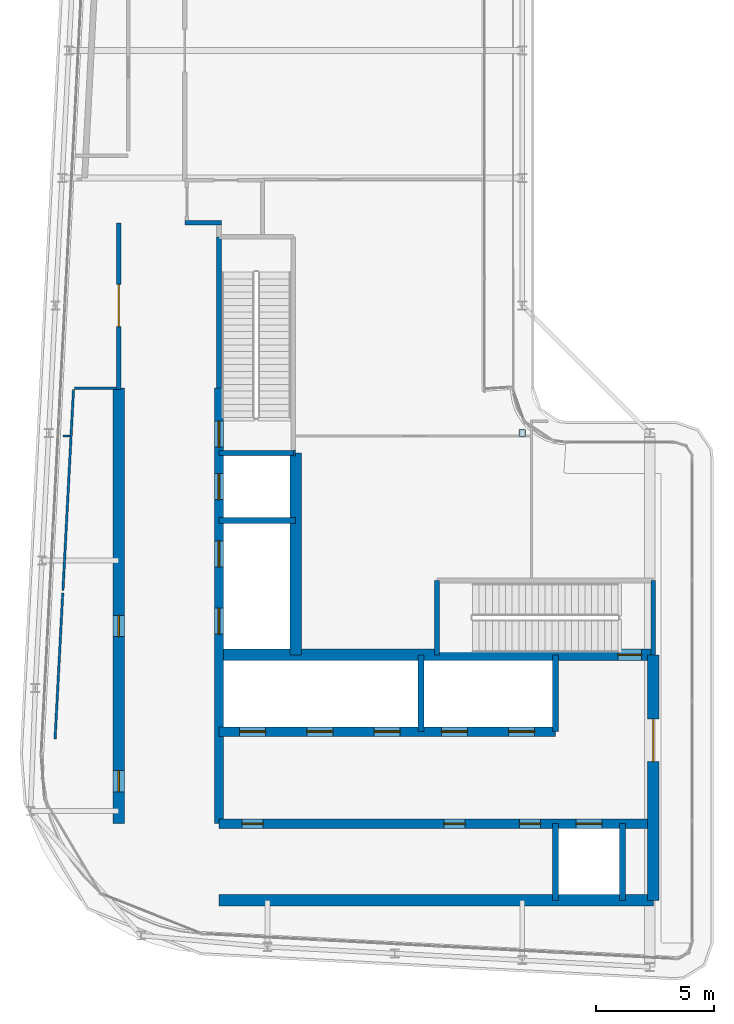
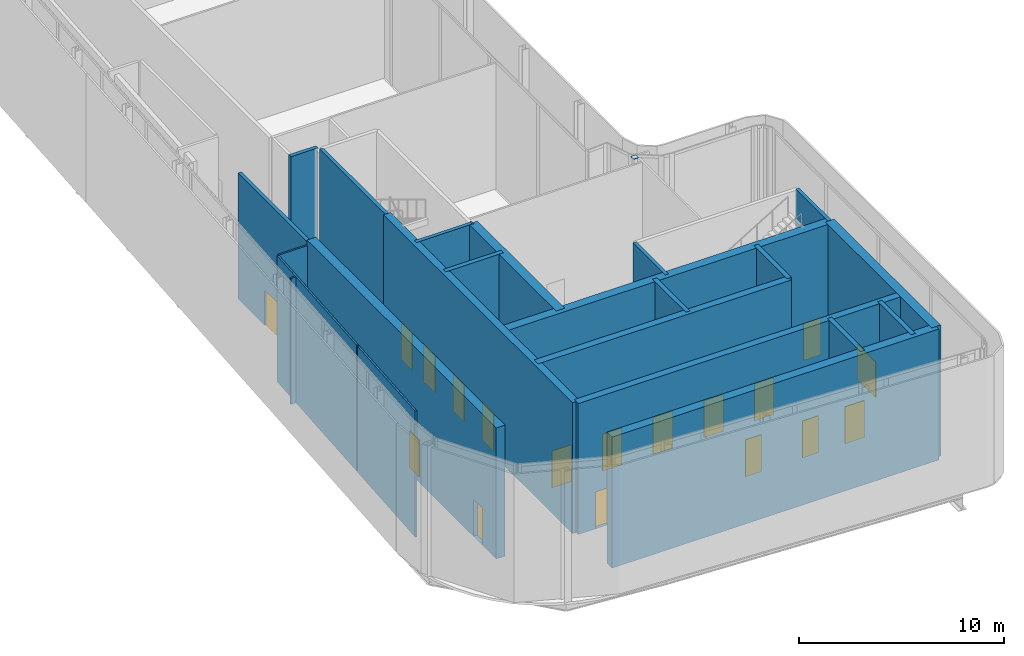
# One storey, part 16 of 23: 24 walls, 18 doors, 1 plate, 18 openings.
"""IFC4 building model written with IfcOpenShell, lengths in metres."""

from ifc_helpers import new_model, si_unit, direction, frame, frame_2d, origin, origin_2d, place, context, subcontext, project, spatial, rectangle, extrude, source, transform, mapped, material, layer, layer_set, type_object, element, fill, save


model = new_model("IFC4")

# Units and contexts
model_context = context("Model", 3, precision=1e-05, world=origin(), true_north=direction((0.0, 1.0)))
body_context = subcontext(model_context, "Body", "Model", "MODEL_VIEW")
ifc_project = project(units=[si_unit("LENGTHUNIT", "METRE"), si_unit("AREAUNIT", "SQUARE_METRE"), si_unit("VOLUMEUNIT", "CUBIC_METRE"), si_unit("PLANEANGLEUNIT", "RADIAN"), si_unit("MASSUNIT", "GRAM", prefix="KILO")], contexts=[model_context])

# Site, building, storey
site_placement = place(None, origin())
site = spatial("IfcSite", under=ifc_project, at=site_placement, CompositionType="ELEMENT")
building_placement = place(site_placement, origin())
building = spatial("IfcBuilding", under=site, at=building_placement, Name="Kheshtan School and Residences Tower", CompositionType="ELEMENT")
storey_placement = place(building_placement, frame((0.0, 0.0, 389.0)))
storey = spatial("IfcBuildingStorey", under=building, at=storey_placement, Name="L92", CompositionType="ELEMENT", Elevation=389.0)

# Plate
ifc_material_1 = material(Name="Steel ASTM A992 Grade 50", Category="steel")
ifc_layer_1 = layer(ifc_material_1, 0.02490234375)
ifc_layer_set_1 = layer_set([ifc_layer_1], Name="End plate 25 HSS 203x203x12.7 ASTM A992 Grade 50")
plate_type = type_object("IfcPlateType", Name="End plate 25 HSS 203x203x12.7 ASTM A992 Grade 50", PredefinedType="SHEET", material=ifc_layer_set_1)
plate_placement = place(storey_placement, frame((47.60009765625, 45.60009765625, 7.800048828125), z_axis=(0.0, 0.0, 1.0), x_axis=(1.0, 0.0, 0.0)))
element("IfcPlate", 1, at=plate_placement, inside=storey, type_object=plate_type, Name="End plate", PredefinedType="SHEET", context=body_context, shape_type="SweptSolid", body=[
    extrude(rectangle(XDim=0.282958984375, YDim=0.282958984375, at=origin_2d()), origin(), (0.0, 0.0, 1.0), 0.02490234375),
])

# Wall, openings, doors
ifc_material_2 = material(Name="Concrete C50/60", Category="concrete")
ifc_layer_2 = layer(ifc_material_2, 0.39990234375)
ifc_layer_set_2 = layer_set([ifc_layer_2], Name="Core wall 400 Concrete C50/60")
wall_type_1 = type_object("IfcWallType", Name="Core wall 400 Concrete C50/60", PredefinedType="SHEAR", material=ifc_layer_set_2)
wall_1_placement = place(storey_placement, frame((34.75, 29.050048828125, 0.0), z_axis=(0.0, 0.0, 1.0), x_axis=(1.0, 0.0, 0.0)))
wall_1 = element("IfcWall", 2, at=wall_1_placement, inside=storey, type_object=wall_type_1, Name="Core wall CW-HALL-S1", PredefinedType="SHEAR", context=body_context, shape_type="SweptSolid", body=[
    extrude(rectangle(XDim=18.39990234375, YDim=0.39990234375, at=frame_2d((9.199951171875, 0.0))), origin(), (0.0, 0.0, 1.0), 7.800048828125),
])
opening_1_placement = place(wall_1_placement, frame((15.125, 0.0, 0.0)))
opening_1 = element("IfcOpeningElement", 3, at=opening_1_placement, cuts=wall_1, Name="Opening LD", PredefinedType="OPENING", context=body_context, shape_type="SweptSolid", body=[
    extrude(rectangle(XDim=1.10009765625, YDim=2.199951171875, at=frame_2d((0.550048828125, 1.10009765625))), frame((0.0, 0.2099609375, 0.0), z_axis=(0.0, -1.0, 0.0), x_axis=(1.0, 0.0, 0.0)), (0.0, 0.0, 1.0), 0.419921875),
])
opening_2_placement = place(wall_1_placement, frame((0.97509765625, 0.0, 0.0)))
opening_2 = element("IfcOpeningElement", 4, at=opening_2_placement, cuts=wall_1, Name="Opening SR90", PredefinedType="OPENING", context=body_context, shape_type="SweptSolid", body=[
    extrude(rectangle(XDim=0.89990234375, YDim=2.199951171875, at=frame_2d((0.449951171875, 1.10009765625))), frame((0.0, 0.2099609375, 0.0), z_axis=(0.0, -1.0, 0.0), x_axis=(1.0, 0.0, 0.0)), (0.0, 0.0, 1.0), 0.419921875),
])
opening_3_placement = place(wall_1_placement, frame((9.52490234375, 0.0, 0.0)))
opening_3 = element("IfcOpeningElement", 5, at=opening_3_placement, cuts=wall_1, Name="Opening SR90", PredefinedType="OPENING", context=body_context, shape_type="SweptSolid", body=[
    extrude(rectangle(XDim=0.89990234375, YDim=2.199951171875, at=frame_2d((0.449951171875, 1.10009765625))), frame((0.0, 0.2099609375, 0.0), z_axis=(0.0, -1.0, 0.0), x_axis=(1.0, 0.0, 0.0)), (0.0, 0.0, 1.0), 0.419921875),
])
opening_4_placement = place(wall_1_placement, frame((12.72607421875, 0.0, 0.0)))
opening_4 = element("IfcOpeningElement", 6, at=opening_4_placement, cuts=wall_1, Name="Opening SR90", PredefinedType="OPENING", context=body_context, shape_type="SweptSolid", body=[
    extrude(rectangle(XDim=0.89990234375, YDim=2.199951171875, at=frame_2d((0.449951171875, 1.10009765625))), frame((0.0, 0.2099609375, 0.0), z_axis=(0.0, -1.0, 0.0), x_axis=(1.0, 0.0, 0.0)), (0.0, 0.0, 1.0), 0.419921875),
])
ifc_material_3 = material(Name="Stainless steel door leaves", Category="steel")
door_type_1 = type_object("IfcDoorType", Name="Lift landing door 1100", OperationType="SLIDING_TO_LEFT", PredefinedType="DOOR", material=ifc_material_3)
shared_shape_1 = source(origin(), body_context, "Body", "SweptSolid", [
    extrude(rectangle(XDim=1.10009765625, YDim=2.199951171875, at=frame_2d((0.550048828125, 1.10009765625))), frame((0.0, 0.02490234375, 0.0), z_axis=(0.0, -1.0, 0.0), x_axis=(1.0, 0.0, 0.0)), (0.0, 0.0, 1.0), 0.050048828125),
])
door_1_placement = place(opening_1_placement, origin())
door_1 = element("IfcDoor", 7, at=door_1_placement, inside=storey, type_object=door_type_1, Name="Lift FFL2 landing door", OperationType="SLIDING_TO_LEFT", OverallHeight=2.199951171875, OverallWidth=1.10009765625, PredefinedType="DOOR", context=body_context, shape_type="MappedRepresentation", body=[
    mapped(shared_shape_1, transform((0.0, 0.0, 0.0), x_axis=(1.0, 0.0, 0.0), y_axis=(0.0, 1.0, 0.0), z_axis=(0.0, 0.0, 1.0), scale=1.0)),
])
fill(opening_1, door_1)
ifc_material_4 = material(Name="Steel door leaf, galvanised", Category="steel")
door_type_2 = type_object("IfcDoorType", Name="Service room door 900 steel 90 min", OperationType="SINGLE_SWING_LEFT", PredefinedType="DOOR", material=ifc_material_4)
shared_shape_2 = source(origin(), body_context, "Body", "SweptSolid", [
    extrude(rectangle(XDim=0.89990234375, YDim=2.199951171875, at=frame_2d((0.449951171875, 1.10009765625))), frame((0.0, 0.02490234375, 0.0), z_axis=(0.0, -1.0, 0.0), x_axis=(1.0, 0.0, 0.0)), (0.0, 0.0, 1.0), 0.050048828125),
])
door_2_placement = place(opening_2_placement, origin())
door_2 = element("IfcDoor", 8, at=door_2_placement, inside=storey, type_object=door_type_2, Name="Service room door", OperationType="SINGLE_SWING_LEFT", OverallHeight=2.199951171875, OverallWidth=0.89990234375, PredefinedType="DOOR", context=body_context, shape_type="MappedRepresentation", body=[
    mapped(shared_shape_2, transform((0.0, 0.0, 0.0), x_axis=(1.0, 0.0, 0.0), y_axis=(0.0, 1.0, 0.0), z_axis=(0.0, 0.0, 1.0), scale=1.0)),
])
fill(opening_2, door_2)
door_3_placement = place(opening_3_placement, origin())
door_3 = element("IfcDoor", 9, at=door_3_placement, inside=storey, type_object=door_type_2, Name="Service room door", OperationType="SINGLE_SWING_RIGHT", OverallHeight=2.199951171875, OverallWidth=0.89990234375, PredefinedType="DOOR", context=body_context, shape_type="MappedRepresentation", body=[
    mapped(shared_shape_2, transform((0.0, 0.0, 0.0), x_axis=(1.0, 0.0, 0.0), y_axis=(0.0, 1.0, 0.0), z_axis=(0.0, 0.0, 1.0), scale=1.0)),
])
fill(opening_3, door_3)
door_4_placement = place(opening_4_placement, origin())
door_4 = element("IfcDoor", 10, at=door_4_placement, inside=storey, type_object=door_type_2, Name="Service room door", OperationType="SINGLE_SWING_LEFT", OverallHeight=2.199951171875, OverallWidth=0.89990234375, PredefinedType="DOOR", context=body_context, shape_type="MappedRepresentation", body=[
    mapped(shared_shape_2, transform((0.0, 0.0, 0.0), x_axis=(1.0, 0.0, 0.0), y_axis=(0.0, 1.0, 0.0), z_axis=(0.0, 0.0, 1.0), scale=1.0)),
])
fill(opening_4, door_4)

wall_2_placement = place(storey_placement, frame((34.75, 32.949951171875, 0.0), z_axis=(0.0, 0.0, 1.0), x_axis=(1.0, 0.0, 0.0)))
wall_2 = element("IfcWall", 11, at=wall_2_placement, inside=storey, type_object=wall_type_1, Name="Core wall CW-HALL-S2", PredefinedType="SHEAR", context=body_context, shape_type="SweptSolid", body=[
    extrude(rectangle(XDim=14.25, YDim=0.39990234375, at=frame_2d((7.125, 0.0))), origin(), (0.0, 0.0, 1.0), 7.800048828125),
])
opening_5_placement = place(wall_2_placement, frame((0.875, 0.0, 0.0)))
opening_5 = element("IfcOpeningElement", 12, at=opening_5_placement, cuts=wall_2, Name="Opening LD", PredefinedType="OPENING", context=body_context, shape_type="SweptSolid", body=[
    extrude(rectangle(XDim=1.10009765625, YDim=2.199951171875, at=frame_2d((0.550048828125, 1.10009765625))), frame((0.0, 0.2099609375, 0.0), z_axis=(0.0, -1.0, 0.0), x_axis=(1.0, 0.0, 0.0)), (0.0, 0.0, 1.0), 0.419921875),
])
opening_6_placement = place(wall_2_placement, frame((3.72509765625, 0.0, 0.0)))
opening_6 = element("IfcOpeningElement", 13, at=opening_6_placement, cuts=wall_2, Name="Opening LD", PredefinedType="OPENING", context=body_context, shape_type="SweptSolid", body=[
    extrude(rectangle(XDim=1.10009765625, YDim=2.199951171875, at=frame_2d((0.550048828125, 1.10009765625))), frame((0.0, 0.2099609375, 0.0), z_axis=(0.0, -1.0, 0.0), x_axis=(1.0, 0.0, 0.0)), (0.0, 0.0, 1.0), 0.419921875),
])
opening_7_placement = place(wall_2_placement, frame((6.574951171875, 0.0, 0.0)))
opening_7 = element("IfcOpeningElement", 14, at=opening_7_placement, cuts=wall_2, Name="Opening LD", PredefinedType="OPENING", context=body_context, shape_type="SweptSolid", body=[
    extrude(rectangle(XDim=1.10009765625, YDim=2.199951171875, at=frame_2d((0.550048828125, 1.10009765625))), frame((0.0, 0.2099609375, 0.0), z_axis=(0.0, -1.0, 0.0), x_axis=(1.0, 0.0, 0.0)), (0.0, 0.0, 1.0), 0.419921875),
])
opening_8_placement = place(wall_2_placement, frame((9.425048828125, 0.0, 0.0)))
opening_8 = element("IfcOpeningElement", 15, at=opening_8_placement, cuts=wall_2, Name="Opening LD", PredefinedType="OPENING", context=body_context, shape_type="SweptSolid", body=[
    extrude(rectangle(XDim=1.10009765625, YDim=2.199951171875, at=frame_2d((0.550048828125, 1.10009765625))), frame((0.0, 0.2099609375, 0.0), z_axis=(0.0, -1.0, 0.0), x_axis=(1.0, 0.0, 0.0)), (0.0, 0.0, 1.0), 0.419921875),
])
opening_9_placement = place(wall_2_placement, frame((12.27490234375, 0.0, 0.0)))
opening_9 = element("IfcOpeningElement", 16, at=opening_9_placement, cuts=wall_2, Name="Opening LD", PredefinedType="OPENING", context=body_context, shape_type="SweptSolid", body=[
    extrude(rectangle(XDim=1.10009765625, YDim=2.199951171875, at=frame_2d((0.550048828125, 1.10009765625))), frame((0.0, 0.2099609375, 0.0), z_axis=(0.0, -1.0, 0.0), x_axis=(1.0, 0.0, 0.0)), (0.0, 0.0, 1.0), 0.419921875),
])
door_5_placement = place(opening_5_placement, origin())
door_5 = element("IfcDoor", 17, at=door_5_placement, inside=storey, type_object=door_type_1, Name="Lift P12 landing door", OperationType="SLIDING_TO_LEFT", OverallHeight=2.199951171875, OverallWidth=1.10009765625, PredefinedType="DOOR", context=body_context, shape_type="MappedRepresentation", body=[
    mapped(shared_shape_1, transform((0.0, 0.0, 0.0), x_axis=(1.0, 0.0, 0.0), y_axis=(0.0, 1.0, 0.0), z_axis=(0.0, 0.0, 1.0), scale=1.0)),
])
fill(opening_5, door_5)
door_6_placement = place(opening_6_placement, origin())
door_6 = element("IfcDoor", 18, at=door_6_placement, inside=storey, type_object=door_type_1, Name="Lift P13 landing door", OperationType="SLIDING_TO_LEFT", OverallHeight=2.199951171875, OverallWidth=1.10009765625, PredefinedType="DOOR", context=body_context, shape_type="MappedRepresentation", body=[
    mapped(shared_shape_1, transform((0.0, 0.0, 0.0), x_axis=(1.0, 0.0, 0.0), y_axis=(0.0, 1.0, 0.0), z_axis=(0.0, 0.0, 1.0), scale=1.0)),
])
fill(opening_6, door_6)
door_7_placement = place(opening_7_placement, origin())
door_7 = element("IfcDoor", 19, at=door_7_placement, inside=storey, type_object=door_type_1, Name="Lift P14 landing door", OperationType="SLIDING_TO_LEFT", OverallHeight=2.199951171875, OverallWidth=1.10009765625, PredefinedType="DOOR", context=body_context, shape_type="MappedRepresentation", body=[
    mapped(shared_shape_1, transform((0.0, 0.0, 0.0), x_axis=(1.0, 0.0, 0.0), y_axis=(0.0, 1.0, 0.0), z_axis=(0.0, 0.0, 1.0), scale=1.0)),
])
fill(opening_7, door_7)
door_8_placement = place(opening_8_placement, origin())
door_8 = element("IfcDoor", 20, at=door_8_placement, inside=storey, type_object=door_type_1, Name="Lift P15 landing door", OperationType="SLIDING_TO_LEFT", OverallHeight=2.199951171875, OverallWidth=1.10009765625, PredefinedType="DOOR", context=body_context, shape_type="MappedRepresentation", body=[
    mapped(shared_shape_1, transform((0.0, 0.0, 0.0), x_axis=(1.0, 0.0, 0.0), y_axis=(0.0, 1.0, 0.0), z_axis=(0.0, 0.0, 1.0), scale=1.0)),
])
fill(opening_8, door_8)
door_9_placement = place(opening_9_placement, origin())
door_9 = element("IfcDoor", 21, at=door_9_placement, inside=storey, type_object=door_type_1, Name="Lift P16 landing door", OperationType="SLIDING_TO_LEFT", OverallHeight=2.199951171875, OverallWidth=1.10009765625, PredefinedType="DOOR", context=body_context, shape_type="MappedRepresentation", body=[
    mapped(shared_shape_1, transform((0.0, 0.0, 0.0), x_axis=(1.0, 0.0, 0.0), y_axis=(0.0, 1.0, 0.0), z_axis=(0.0, 0.0, 1.0), scale=1.0)),
])
fill(opening_9, door_9)

wall_3_placement = place(storey_placement, frame((34.75, 29.050048828125, 0.0), z_axis=(0.0, 0.0, 1.0), x_axis=(0.0, 1.0, 0.0)))
wall_3 = element("IfcWall", 22, at=wall_3_placement, inside=storey, type_object=wall_type_1, Name="Core wall CW-HALL-W1", PredefinedType="SHEAR", context=body_context, shape_type="SweptSolid", body=[
    extrude(rectangle(XDim=18.449951171875, YDim=0.39990234375, at=frame_2d((9.22509765625, 0.0))), origin(), (0.0, 0.0, 1.0), 7.800048828125),
])
opening_10_placement = place(wall_3_placement, frame((8.02490234375, 0.0, 0.0)))
opening_10 = element("IfcOpeningElement", 23, at=opening_10_placement, cuts=wall_3, Name="Opening LD", PredefinedType="OPENING", context=body_context, shape_type="SweptSolid", body=[
    extrude(rectangle(XDim=1.10009765625, YDim=2.199951171875, at=frame_2d((0.550048828125, 1.10009765625))), frame((0.0, 0.2099609375, 0.0), z_axis=(0.0, -1.0, 0.0), x_axis=(1.0, 0.0, 0.0)), (0.0, 0.0, 1.0), 0.419921875),
])
opening_11_placement = place(wall_3_placement, frame((10.875, 0.0, 0.0)))
opening_11 = element("IfcOpeningElement", 24, at=opening_11_placement, cuts=wall_3, Name="Opening LD", PredefinedType="OPENING", context=body_context, shape_type="SweptSolid", body=[
    extrude(rectangle(XDim=1.10009765625, YDim=2.199951171875, at=frame_2d((0.550048828125, 1.10009765625))), frame((0.0, 0.2099609375, 0.0), z_axis=(0.0, -1.0, 0.0), x_axis=(1.0, 0.0, 0.0)), (0.0, 0.0, 1.0), 0.419921875),
])
opening_12_placement = place(wall_3_placement, frame((13.72509765625, 0.0, 0.0)))
opening_12 = element("IfcOpeningElement", 25, at=opening_12_placement, cuts=wall_3, Name="Opening LD", PredefinedType="OPENING", context=body_context, shape_type="SweptSolid", body=[
    extrude(rectangle(XDim=1.10009765625, YDim=2.199951171875, at=frame_2d((0.550048828125, 1.10009765625))), frame((0.0, 0.2099609375, 0.0), z_axis=(0.0, -1.0, 0.0), x_axis=(1.0, 0.0, 0.0)), (0.0, 0.0, 1.0), 0.419921875),
])
opening_13_placement = place(wall_3_placement, frame((15.949951171875, 0.0, 0.0)))
opening_13 = element("IfcOpeningElement", 26, at=opening_13_placement, cuts=wall_3, Name="Opening ST2D", PredefinedType="OPENING", context=body_context, shape_type="SweptSolid", body=[
    extrude(rectangle(XDim=1.10009765625, YDim=2.199951171875, at=frame_2d((0.550048828125, 1.10009765625))), frame((0.0, 0.2099609375, 0.0), z_axis=(0.0, -1.0, 0.0), x_axis=(1.0, 0.0, 0.0)), (0.0, 0.0, 1.0), 0.419921875),
])
door_10_placement = place(opening_10_placement, origin())
door_10 = element("IfcDoor", 27, at=door_10_placement, inside=storey, type_object=door_type_1, Name="Lift SV1 landing door", OperationType="SLIDING_TO_LEFT", OverallHeight=2.199951171875, OverallWidth=1.10009765625, PredefinedType="DOOR", context=body_context, shape_type="MappedRepresentation", body=[
    mapped(shared_shape_1, transform((0.0, 0.0, 0.0), x_axis=(1.0, 0.0, 0.0), y_axis=(0.0, 1.0, 0.0), z_axis=(0.0, 0.0, 1.0), scale=1.0)),
])
fill(opening_10, door_10)
door_11_placement = place(opening_11_placement, origin())
door_11 = element("IfcDoor", 28, at=door_11_placement, inside=storey, type_object=door_type_1, Name="Lift SV2 landing door", OperationType="SLIDING_TO_LEFT", OverallHeight=2.199951171875, OverallWidth=1.10009765625, PredefinedType="DOOR", context=body_context, shape_type="MappedRepresentation", body=[
    mapped(shared_shape_1, transform((0.0, 0.0, 0.0), x_axis=(1.0, 0.0, 0.0), y_axis=(0.0, 1.0, 0.0), z_axis=(0.0, 0.0, 1.0), scale=1.0)),
])
fill(opening_11, door_11)
door_12_placement = place(opening_12_placement, origin())
door_12 = element("IfcDoor", 29, at=door_12_placement, inside=storey, type_object=door_type_1, Name="Lift FFL1 landing door", OperationType="SLIDING_TO_LEFT", OverallHeight=2.199951171875, OverallWidth=1.10009765625, PredefinedType="DOOR", context=body_context, shape_type="MappedRepresentation", body=[
    mapped(shared_shape_1, transform((0.0, 0.0, 0.0), x_axis=(1.0, 0.0, 0.0), y_axis=(0.0, 1.0, 0.0), z_axis=(0.0, 0.0, 1.0), scale=1.0)),
])
fill(opening_12, door_12)
door_type_3 = type_object("IfcDoorType", Name="Stair door 1100 steel 90 min", OperationType="SINGLE_SWING_LEFT", PredefinedType="DOOR", material=ifc_material_4)
shared_shape_3 = source(origin(), body_context, "Body", "SweptSolid", [
    extrude(rectangle(XDim=1.10009765625, YDim=2.199951171875, at=frame_2d((0.550048828125, 1.10009765625))), frame((0.0, 0.02490234375, 0.0), z_axis=(0.0, -1.0, 0.0), x_axis=(1.0, 0.0, 0.0)), (0.0, 0.0, 1.0), 0.050048828125),
])
door_13_placement = place(opening_13_placement, origin())
door_13 = element("IfcDoor", 30, at=door_13_placement, inside=storey, type_object=door_type_3, Name="Stair ST2 door", OperationType="SINGLE_SWING_RIGHT", OverallHeight=2.199951171875, OverallWidth=1.10009765625, PredefinedType="DOOR", context=body_context, shape_type="MappedRepresentation", body=[
    mapped(shared_shape_3, transform((0.0, 0.0, 0.0), x_axis=(1.0, 0.0, 0.0), y_axis=(0.0, 1.0, 0.0), z_axis=(0.0, 0.0, 1.0), scale=1.0)),
])
fill(opening_13, door_13)

# Wall
ifc_layer_3 = layer(ifc_material_2, 0.5)
ifc_layer_set_3 = layer_set([ifc_layer_3], Name="Core wall 500 Concrete C50/60")
wall_type_2 = type_object("IfcWallType", Name="Core wall 500 Concrete C50/60", PredefinedType="SHEAR", material=ifc_layer_set_3)
wall_4_placement = place(storey_placement, frame((34.75, 25.800048828125, 0.0), z_axis=(0.0, 0.0, 1.0), x_axis=(1.0, 0.0, 0.0)))
element("IfcWall", 31, at=wall_4_placement, inside=storey, type_object=wall_type_2, Name="Core wall CW-REAR-S", PredefinedType="SHEAR", context=body_context, shape_type="SweptSolid", body=[
    extrude(rectangle(XDim=18.39990234375, YDim=0.5, at=frame_2d((9.199951171875, 0.0))), origin(), (0.0, 0.0, 1.0), 7.800048828125),
])

# Wall, opening, door
wall_5_placement = place(storey_placement, frame((34.75, 36.199951171875, 0.0), z_axis=(0.0, 0.0, 1.0), x_axis=(1.0, 0.0, 0.0)))
wall_5 = element("IfcWall", 32, at=wall_5_placement, inside=storey, type_object=wall_type_2, Name="Core wall CW-FRONT-S", PredefinedType="SHEAR", context=body_context, shape_type="SweptSolid", body=[
    extrude(rectangle(XDim=18.39990234375, YDim=0.5, at=frame_2d((9.199951171875, 0.0))), origin(), (0.0, 0.0, 1.0), 7.800048828125),
])
opening_14_placement = place(wall_5_placement, frame((16.89990234375, 0.0, 0.0)))
opening_14 = element("IfcOpeningElement", 33, at=opening_14_placement, cuts=wall_5, Name="Opening ST1D", PredefinedType="OPENING", context=body_context, shape_type="SweptSolid", body=[
    extrude(rectangle(XDim=1.0, YDim=2.199951171875, at=frame_2d((0.5, 1.10009765625))), frame((0.0, 0.260009765625, 0.0), z_axis=(0.0, -1.0, 0.0), x_axis=(1.0, 0.0, 0.0)), (0.0, 0.0, 1.0), 0.52001953125),
])
shared_shape_4 = source(origin(), body_context, "Body", "SweptSolid", [
    extrude(rectangle(XDim=1.0, YDim=2.199951171875, at=frame_2d((0.5, 1.10009765625))), frame((0.0, 0.02490234375, 0.0), z_axis=(0.0, -1.0, 0.0), x_axis=(1.0, 0.0, 0.0)), (0.0, 0.0, 1.0), 0.050048828125),
])
door_14_placement = place(opening_14_placement, origin())
door_14 = element("IfcDoor", 34, at=door_14_placement, inside=storey, type_object=door_type_3, Name="Stair ST1 door", OperationType="SINGLE_SWING_RIGHT", OverallHeight=2.199951171875, OverallWidth=1.0, PredefinedType="DOOR", context=body_context, shape_type="MappedRepresentation", body=[
    mapped(shared_shape_4, transform((0.0, 0.0, 0.0), x_axis=(1.0, 0.0, 0.0), y_axis=(0.0, 1.0, 0.0), z_axis=(0.0, 0.0, 1.0), scale=1.0)),
])
fill(opening_14, door_14)

# Wall
wall_6_placement = place(storey_placement, frame((38.0, 36.199951171875, 0.0), z_axis=(0.0, 0.0, 1.0), x_axis=(0.0, 1.0, 0.0)))
element("IfcWall", 35, at=wall_6_placement, inside=storey, type_object=wall_type_2, Name="Core wall CW-FRONT-W", PredefinedType="SHEAR", context=body_context, shape_type="SweptSolid", body=[
    extrude(rectangle(XDim=8.550048828125, YDim=0.5, at=frame_2d((4.27490234375, 0.0))), origin(), (0.0, 0.0, 1.0), 7.800048828125),
])

# Wall, openings, doors
wall_7_placement = place(storey_placement, frame((30.5, 29.050048828125, 0.0), z_axis=(0.0, 0.0, 1.0), x_axis=(0.0, 1.0, 0.0)))
wall_7 = element("IfcWall", 36, at=wall_7_placement, inside=storey, type_object=wall_type_2, Name="Core wall CW-REAR-W", PredefinedType="SHEAR", context=body_context, shape_type="SweptSolid", body=[
    extrude(rectangle(XDim=18.449951171875, YDim=0.5, at=frame_2d((9.22509765625, 0.0))), origin(), (0.0, 0.0, 1.0), 7.800048828125),
])
opening_15_placement = place(wall_7_placement, frame((1.340087890625, 0.0, 0.0)))
opening_15 = element("IfcOpeningElement", 37, at=opening_15_placement, cuts=wall_7, Name="Opening SR90", PredefinedType="OPENING", context=body_context, shape_type="SweptSolid", body=[
    extrude(rectangle(XDim=0.89990234375, YDim=2.199951171875, at=frame_2d((0.449951171875, 1.10009765625))), frame((0.0, 0.260009765625, 0.0), z_axis=(0.0, -1.0, 0.0), x_axis=(1.0, 0.0, 0.0)), (0.0, 0.0, 1.0), 0.52001953125),
])
opening_16_placement = place(wall_7_placement, frame((7.925048828125, 0.0, 0.0)))
opening_16 = element("IfcOpeningElement", 38, at=opening_16_placement, cuts=wall_7, Name="Opening SR90", PredefinedType="OPENING", context=body_context, shape_type="SweptSolid", body=[
    extrude(rectangle(XDim=0.89990234375, YDim=2.199951171875, at=frame_2d((0.449951171875, 1.10009765625))), frame((0.0, 0.260009765625, 0.0), z_axis=(0.0, -1.0, 0.0), x_axis=(1.0, 0.0, 0.0)), (0.0, 0.0, 1.0), 0.52001953125),
])
door_15_placement = place(opening_15_placement, origin())
door_15 = element("IfcDoor", 39, at=door_15_placement, inside=storey, type_object=door_type_2, Name="Service room door", OperationType="SINGLE_SWING_LEFT", OverallHeight=2.199951171875, OverallWidth=0.89990234375, PredefinedType="DOOR", context=body_context, shape_type="MappedRepresentation", body=[
    mapped(shared_shape_2, transform((0.0, 0.0, 0.0), x_axis=(1.0, 0.0, 0.0), y_axis=(0.0, 1.0, 0.0), z_axis=(0.0, 0.0, 1.0), scale=1.0)),
])
fill(opening_15, door_15)
door_16_placement = place(opening_16_placement, origin())
door_16 = element("IfcDoor", 40, at=door_16_placement, inside=storey, type_object=door_type_2, Name="Service room door", OperationType="SINGLE_SWING_LEFT", OverallHeight=2.199951171875, OverallWidth=0.89990234375, PredefinedType="DOOR", context=body_context, shape_type="MappedRepresentation", body=[
    mapped(shared_shape_2, transform((0.0, 0.0, 0.0), x_axis=(1.0, 0.0, 0.0), y_axis=(0.0, 1.0, 0.0), z_axis=(0.0, 0.0, 1.0), scale=1.0)),
])
fill(opening_16, door_16)

# Wall, opening, door
wall_8_placement = place(storey_placement, frame((53.14990234375, 25.800048828125, 0.0), z_axis=(0.0, 0.0, 1.0), x_axis=(0.0, 1.0, 0.0)))
wall_8 = element("IfcWall", 41, at=wall_8_placement, inside=storey, type_object=wall_type_2, Name="Core wall CW-EAST", PredefinedType="SHEAR", context=body_context, shape_type="SweptSolid", body=[
    extrude(rectangle(XDim=10.39990234375, YDim=0.5, at=frame_2d((5.199951171875, 0.0))), origin(), (0.0, 0.0, 1.0), 7.800048828125),
])
opening_17_placement = place(wall_8_placement, frame((5.875, 0.0, 0.0)))
opening_17 = element("IfcOpeningElement", 42, at=opening_17_placement, cuts=wall_8, Name="Opening D92-001", PredefinedType="OPENING", context=body_context, shape_type="SweptSolid", body=[
    extrude(rectangle(XDim=1.800048828125, YDim=2.10009765625, at=frame_2d((0.89990234375, 1.050048828125))), frame((0.0, 0.260009765625, 0.0), z_axis=(0.0, -1.0, 0.0), x_axis=(1.0, 0.0, 0.0)), (0.0, 0.0, 1.0), 0.52001953125),
])
ifc_material_5 = material(Name="Steel-framed fire-resisting door leaf", Category="steel")
door_type_4 = type_object("IfcDoorType", Name="Fire double door FD120 1800 x 2100", OperationType="DOUBLE_DOOR_SINGLE_SWING", PredefinedType="DOOR", material=ifc_material_5)
shared_shape_5 = source(origin(), body_context, "Body", "SweptSolid", [
    extrude(rectangle(XDim=1.800048828125, YDim=2.10009765625, at=frame_2d((0.89990234375, 1.050048828125))), frame((0.0, 0.02490234375, 0.0), z_axis=(0.0, -1.0, 0.0), x_axis=(1.0, 0.0, 0.0)), (0.0, 0.0, 1.0), 0.050048828125),
])
door_17_placement = place(opening_17_placement, origin())
door_17 = element("IfcDoor", 43, at=door_17_placement, inside=storey, type_object=door_type_4, Name="Door D92-001", OperationType="DOUBLE_DOOR_SINGLE_SWING", OverallHeight=2.10009765625, OverallWidth=1.800048828125, PredefinedType="DOOR", context=body_context, shape_type="MappedRepresentation", body=[
    mapped(shared_shape_5, transform((0.0, 0.0, 0.0), x_axis=(1.0, 0.0, 0.0), y_axis=(0.0, 1.0, 0.0), z_axis=(0.0, 0.0, 1.0), scale=1.0)),
])
fill(opening_17, door_17)

ifc_material_6 = material(Name="Gypsum board on steel studs with fire boards", Category="steel")
ifc_layer_4 = layer(ifc_material_6, 0.199951171875)
ifc_layer_set_4 = layer_set([ifc_layer_4], Name="Corridor wall 200")
wall_type_3 = type_object("IfcWallType", Name="Corridor wall 200", PredefinedType="PARTITIONING", material=ifc_layer_set_4)
wall_9_placement = place(storey_placement, frame((30.5, 47.449951171875, 0.0), z_axis=(0.0, 0.0, 1.0), x_axis=(0.0, 1.0, 0.0)))
wall_9 = element("IfcWall", 44, at=wall_9_placement, inside=storey, type_object=wall_type_3, Name="Partition L92-009", PredefinedType="PARTITIONING", context=body_context, shape_type="SweptSolid", body=[
    extrude(rectangle(XDim=7.050048828125, YDim=0.199951171875, at=frame_2d((3.52490234375, 0.0))), origin(), (0.0, 0.0, 1.0), 7.5),
])
opening_18_placement = place(wall_9_placement, frame((2.64990234375, 0.0, 0.0)))
opening_18 = element("IfcOpeningElement", 45, at=opening_18_placement, cuts=wall_9, Name="Opening D92-002", PredefinedType="OPENING", context=body_context, shape_type="SweptSolid", body=[
    extrude(rectangle(XDim=1.800048828125, YDim=2.10009765625, at=frame_2d((0.89990234375, 1.050048828125))), frame((0.0, 0.10986328125, 0.0), z_axis=(0.0, -1.0, 0.0), x_axis=(1.0, 0.0, 0.0)), (0.0, 0.0, 1.0), 0.219970703125),
])
door_type_5 = type_object("IfcDoorType", Name="Fire double door FD60 1800 x 2100", OperationType="DOUBLE_DOOR_SINGLE_SWING", PredefinedType="DOOR", material=ifc_material_5)
shared_shape_6 = source(origin(), body_context, "Body", "SweptSolid", [
    extrude(rectangle(XDim=1.800048828125, YDim=2.10009765625, at=frame_2d((0.89990234375, 1.050048828125))), frame((0.0, 0.02490234375, 0.0), z_axis=(0.0, -1.0, 0.0), x_axis=(1.0, 0.0, 0.0)), (0.0, 0.0, 1.0), 0.050048828125),
])
door_18_placement = place(opening_18_placement, origin())
door_18 = element("IfcDoor", 46, at=door_18_placement, inside=storey, type_object=door_type_5, Name="Door D92-002", OperationType="DOUBLE_DOOR_SINGLE_SWING", OverallHeight=2.10009765625, OverallWidth=1.800048828125, PredefinedType="DOOR", context=body_context, shape_type="MappedRepresentation", body=[
    mapped(shared_shape_6, transform((0.0, 0.0, 0.0), x_axis=(1.0, 0.0, 0.0), y_axis=(0.0, 1.0, 0.0), z_axis=(0.0, 0.0, 1.0), scale=1.0)),
])
fill(opening_18, door_18)

# Walls
wall_10_placement = place(storey_placement, frame((33.318115234375, 54.5, 0.0), z_axis=(0.0, 0.0, 1.0), x_axis=(1.0, 0.0, 0.0)))
element("IfcWall", 47, at=wall_10_placement, inside=storey, type_object=wall_type_3, Name="Partition L92-014", PredefinedType="PARTITIONING", context=body_context, shape_type="SweptSolid", body=[
    extrude(rectangle(XDim=1.531982421875, YDim=0.199951171875, at=frame_2d((0.76611328125, 0.0))), origin(), (0.0, 0.0, 1.0), 7.5),
])
ifc_material_7 = material(Name="Gypsum board on steel studs", Category="steel")
ifc_layer_5 = layer(ifc_material_7, 0.10009765625)
ifc_layer_set_5 = layer_set([ifc_layer_5], Name="Gypsum partition 100")
wall_type_4 = type_object("IfcWallType", Name="Gypsum partition 100", PredefinedType="PARTITIONING", material=ifc_layer_set_5)
wall_11_placement = place(storey_placement, frame((27.804931640625, 32.62890625, 0.0), z_axis=(0.0, 0.0, 1.0), x_axis=(0.052585689609, 0.998616415471, 0.0)))
element("IfcWall", 48, at=wall_11_placement, inside=storey, type_object=wall_type_4, Name="Partition L92-001", PredefinedType="PARTITIONING", context=body_context, shape_type="SweptSolid", body=[
    extrude(rectangle(XDim=6.20263671875, YDim=0.10009765625, at=frame_2d((3.101318359375, 0.0))), origin(), (0.0, 0.0, 1.0), 7.5),
])
wall_12_placement = place(storey_placement, frame((28.138916015625, 38.923095703125, 0.0), z_axis=(0.0, 0.0, 1.0), x_axis=(0.05246728942, 0.998622643215, 0.0)))
element("IfcWall", 49, at=wall_12_placement, inside=storey, type_object=wall_type_4, Name="Partition L92-002", PredefinedType="PARTITIONING", context=body_context, shape_type="SweptSolid", body=[
    extrude(rectangle(XDim=8.53857421875, YDim=0.10009765625, at=frame_2d((4.269287109375, 0.0))), origin(), (0.0, 0.0, 1.0), 7.5),
])
wall_13_placement = place(storey_placement, frame((28.152099609375, 45.472900390625, 0.0), z_axis=(0.0, 0.0, 1.0), x_axis=(1.0, 0.0, 0.0)))
element("IfcWall", 50, at=wall_13_placement, inside=storey, type_object=wall_type_4, Name="Partition L92-003", PredefinedType="PARTITIONING", context=body_context, shape_type="SweptSolid", body=[
    extrude(rectangle(XDim=0.27880859375, YDim=0.10009765625, at=frame_2d((0.139404296875, 0.0))), origin(), (0.0, 0.0, 1.0), 7.5),
])
wall_14_placement = place(storey_placement, frame((28.637939453125, 47.5, 0.0), z_axis=(0.0, 0.0, 1.0), x_axis=(1.0, 0.0, 0.0)))
element("IfcWall", 51, at=wall_14_placement, inside=storey, type_object=wall_type_4, Name="Partition L92-004", PredefinedType="PARTITIONING", context=body_context, shape_type="SweptSolid", body=[
    extrude(rectangle(XDim=1.761962890625, YDim=0.10009765625, at=frame_2d((0.880859375, 0.0))), origin(), (0.0, 0.0, 1.0), 7.5),
])
ifc_material_8 = material(Name="Fire-board shaft wall system")
ifc_layer_6 = layer(ifc_material_8, 0.25)
ifc_layer_set_6 = layer_set([ifc_layer_6], Name="Shaft lining wall 250")
wall_type_5 = type_object("IfcWallType", Name="Shaft lining wall 250", PredefinedType="PARTITIONING", material=ifc_layer_set_6)
for number, where, z_axis, x_axis, name in (
    (52, (43.300048828125, 32.949951171875, 0.0), (0.0, 0.0, 1.0), (0.0, 1.0, 0.0), "Shaft lining wall"),
    (53, (49.0, 25.800048828125, 0.0), (0.0, 0.0, 1.0), (0.0, 1.0, 0.0), "Shaft lining wall"),
    (54, (49.0, 32.949951171875, 0.0), (0.0, 0.0, 1.0), (0.0, 1.0, 0.0), "Shaft lining wall"),
    (55, (51.85009765625, 25.800048828125, 0.0), (0.0, 0.0, 1.0), (0.0, 1.0, 0.0), "Shaft lining wall"),
    (56, (34.75, 41.89990234375, 0.0), (0.0, 0.0, 1.0), (1.0, 0.0, 0.0), "Shaft lining wall"),
):
    element("IfcWall", number, at=place(storey_placement, frame(where, z_axis=z_axis, x_axis=x_axis)), inside=storey, type_object=wall_type_5, Name=name, PredefinedType="PARTITIONING", context=body_context, shape_type="SweptSolid", body=[
        extrude(rectangle(XDim=3.25, YDim=0.25, at=frame_2d((1.625, 0.0))), origin(), (0.0, 0.0, 1.0), 7.800048828125),
    ])
wall_15_placement = place(storey_placement, frame((37.89990234375, 44.75, 0.0), z_axis=(0.0, 0.0, 1.0), x_axis=(1.0, 0.0, 0.0)))
element("IfcWall", 57, at=wall_15_placement, inside=storey, type_object=wall_type_5, Name="Shaft lining wall", PredefinedType="PARTITIONING", context=body_context, shape_type="SweptSolid", body=[
    extrude(rectangle(XDim=0.10009765625, YDim=0.25, at=frame_2d((0.050048828125, 0.0))), origin(), (0.0, 0.0, 1.0), 7.800048828125),
])
ifc_material_9 = material(Name="Concrete C40/50", Category="concrete")
ifc_layer_7 = layer(ifc_material_9, 0.199951171875)
ifc_layer_set_7 = layer_set([ifc_layer_7], Name="Stair enclosure wall 200 Concrete C40/50")
wall_type_6 = type_object("IfcWallType", Name="Stair enclosure wall 200 Concrete C40/50", PredefinedType="SHEAR", material=ifc_layer_set_7)
for number, where, z_axis, x_axis, name in (
    (58, (43.989990234375, 36.199951171875, 0.0), (0.0, 0.0, 1.0), (0.0, 1.0, 0.0), "Stair enclosure wall ST1"),
    (59, (53.14990234375, 36.199951171875, 0.0), (0.0, 0.0, 1.0), (0.0, 1.0, 0.0), "Stair enclosure wall ST1"),
):
    element("IfcWall", number, at=place(storey_placement, frame(where, z_axis=z_axis, x_axis=x_axis)), inside=storey, type_object=wall_type_6, Name=name, PredefinedType="SHEAR", context=body_context, shape_type="SweptSolid", body=[
        extrude(rectangle(XDim=3.150146484375, YDim=0.199951171875, at=frame_2d((1.5751953125, 0.0))), origin(), (0.0, 0.0, 1.0), 7.800048828125),
    ])
wall_16_placement = place(storey_placement, frame((34.75, 44.75, 0.0), z_axis=(0.0, 0.0, 1.0), x_axis=(1.0, 0.0, 0.0)))
element("IfcWall", 60, at=wall_16_placement, inside=storey, type_object=wall_type_6, Name="Stair enclosure wall ST2", PredefinedType="SHEAR", context=body_context, shape_type="SweptSolid", body=[
    extrude(rectangle(XDim=3.14990234375, YDim=0.199951171875, at=frame_2d((1.574951171875, 0.0))), origin(), (0.0, 0.0, 1.0), 7.800048828125),
])
wall_17_placement = place(storey_placement, frame((34.75, 47.5, 0.0), z_axis=(0.0, 0.0, 1.0), x_axis=(0.0, 1.0, 0.0)))
element("IfcWall", 61, at=wall_17_placement, inside=storey, type_object=wall_type_6, Name="Stair enclosure wall ST2", PredefinedType="SHEAR", context=body_context, shape_type="SweptSolid", body=[
    extrude(rectangle(XDim=6.409912109375, YDim=0.199951171875, at=frame_2d((3.205078125, 0.0))), origin(), (0.0, 0.0, 1.0), 7.800048828125),
])

save(model, "model.ifc")
